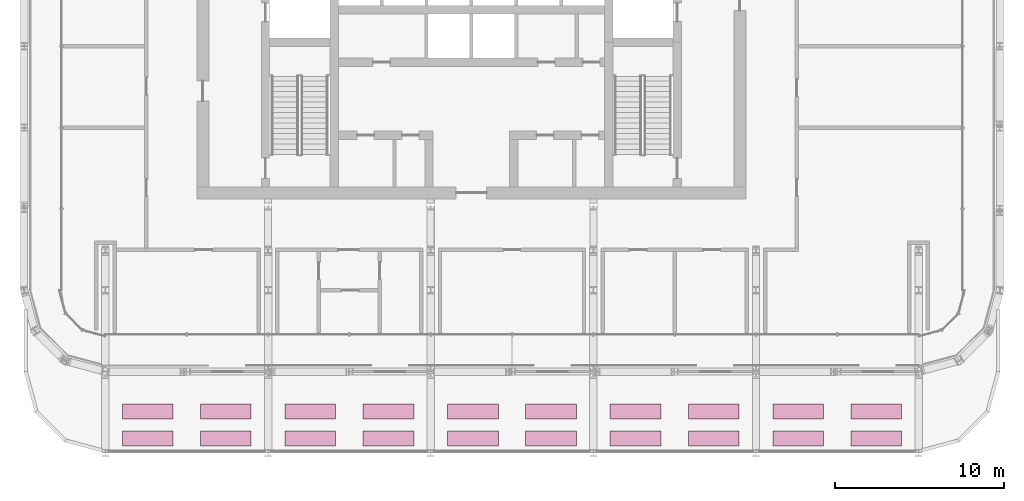
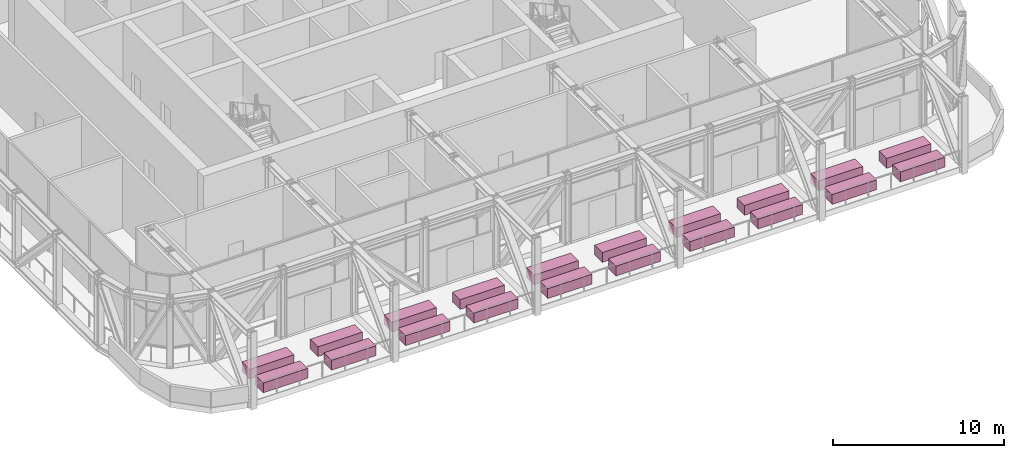
# One storey, part 22 of 22: 20 furniture elements.
"""IFC4 building model written with IfcOpenShell, lengths in metres."""

from ifc_helpers import new_model, si_unit, direction, frame, origin, origin_2d, place, context, subcontext, project, spatial, rectangle, extrude, material, type_object, element, save


model = new_model("IFC4")

# Units and contexts
model_context = context("Model", 3, precision=1e-05, world=origin(), true_north=direction((0.0, 1.0)))
body_context = subcontext(model_context, "Body", "Model", "MODEL_VIEW")
ifc_project = project(units=[si_unit("LENGTHUNIT", "METRE"), si_unit("AREAUNIT", "SQUARE_METRE"), si_unit("VOLUMEUNIT", "CUBIC_METRE"), si_unit("PLANEANGLEUNIT", "RADIAN"), si_unit("MASSUNIT", "GRAM", prefix="KILO")], contexts=[model_context])

# Site, building, storey
site_placement = place(None, origin())
site = spatial("IfcSite", under=ifc_project, at=site_placement, CompositionType="ELEMENT")
building_placement = place(site_placement, origin())
building = spatial("IfcBuilding", under=site, at=building_placement, Name="Madar Terraces", CompositionType="ELEMENT")
storey_placement = place(building_placement, frame((0.0, 0.0, 203.39990234375)))
storey = spatial("IfcBuildingStorey", under=building, at=storey_placement, Name="L53", CompositionType="ELEMENT", Elevation=203.39990234375)

# Furniture
ifc_material = material(Name="Precast concrete C30/37, planted soil", Category="concrete")
furniture_type = type_object("IfcFurnitureType", Name="Terrace planter 3000 x 900 x 700", AssemblyPlace="NOTDEFINED", PredefinedType="NOTDEFINED", material=ifc_material)
for number, where, z_axis, x_axis, name in (
    (1, (12.095458984375, 0.85009765625, 0.0400390625), (0.0, 0.0, 1.0), (1.0, 0.0, 0.0), "PLANTER L53 1"),
    (2, (16.70458984375, 0.85009765625, 0.0400390625), (0.0, 0.0, 1.0), (1.0, 0.0, 0.0), "PLANTER L53 2"),
    (3, (12.095458984375, 2.449951171875, 0.0400390625), (0.0, 0.0, 1.0), (1.0, 0.0, 0.0), "PLANTER L53 3"),
    (4, (16.70458984375, 2.449951171875, 0.0400390625), (0.0, 0.0, 1.0), (1.0, 0.0, 0.0), "PLANTER L53 4"),
    (5, (21.6953125, 0.85009765625, 0.0400390625), (0.0, 0.0, 1.0), (1.0, 0.0, 0.0), "PLANTER L53 1"),
    (6, (26.3046875, 0.85009765625, 0.0400390625), (0.0, 0.0, 1.0), (1.0, 0.0, 0.0), "PLANTER L53 2"),
    (7, (21.6953125, 2.449951171875, 0.0400390625), (0.0, 0.0, 1.0), (1.0, 0.0, 0.0), "PLANTER L53 3"),
    (8, (26.3046875, 2.449951171875, 0.0400390625), (0.0, 0.0, 1.0), (1.0, 0.0, 0.0), "PLANTER L53 4"),
    (9, (31.29541015625, 0.85009765625, 0.0400390625), (0.0, 0.0, 1.0), (1.0, 0.0, 0.0), "PLANTER L53 1"),
    (10, (35.904541015625, 0.85009765625, 0.0400390625), (0.0, 0.0, 1.0), (1.0, 0.0, 0.0), "PLANTER L53 2"),
    (11, (31.29541015625, 2.449951171875, 0.0400390625), (0.0, 0.0, 1.0), (1.0, 0.0, 0.0), "PLANTER L53 3"),
    (12, (35.904541015625, 2.449951171875, 0.0400390625), (0.0, 0.0, 1.0), (1.0, 0.0, 0.0), "PLANTER L53 4"),
    (13, (40.8955078125, 0.85009765625, 0.0400390625), (0.0, 0.0, 1.0), (1.0, 0.0, 0.0), "PLANTER L53 1"),
    (14, (45.504638671875, 0.85009765625, 0.0400390625), (0.0, 0.0, 1.0), (1.0, 0.0, 0.0), "PLANTER L53 2"),
    (15, (40.8955078125, 2.449951171875, 0.0400390625), (0.0, 0.0, 1.0), (1.0, 0.0, 0.0), "PLANTER L53 3"),
    (16, (45.504638671875, 2.449951171875, 0.0400390625), (0.0, 0.0, 1.0), (1.0, 0.0, 0.0), "PLANTER L53 4"),
    (17, (50.495361328125, 0.85009765625, 0.0400390625), (0.0, 0.0, 1.0), (1.0, 0.0, 0.0), "PLANTER L53 1"),
    (18, (55.1044921875, 0.85009765625, 0.0400390625), (0.0, 0.0, 1.0), (1.0, 0.0, 0.0), "PLANTER L53 2"),
    (19, (50.495361328125, 2.449951171875, 0.0400390625), (0.0, 0.0, 1.0), (1.0, 0.0, 0.0), "PLANTER L53 3"),
    (20, (55.1044921875, 2.449951171875, 0.0400390625), (0.0, 0.0, 1.0), (1.0, 0.0, 0.0), "PLANTER L53 4"),
):
    element("IfcFurniture", number, at=place(storey_placement, frame(where, z_axis=z_axis, x_axis=x_axis)), inside=storey, type_object=furniture_type, Name=name, PredefinedType="NOTDEFINED", context=body_context, shape_type="SweptSolid", body=[
        extrude(rectangle(XDim=3.0, YDim=0.89990234375, at=origin_2d()), origin(), (0.0, 0.0, 1.0), 0.699951171875),
    ])

save(model, "model.ifc")
